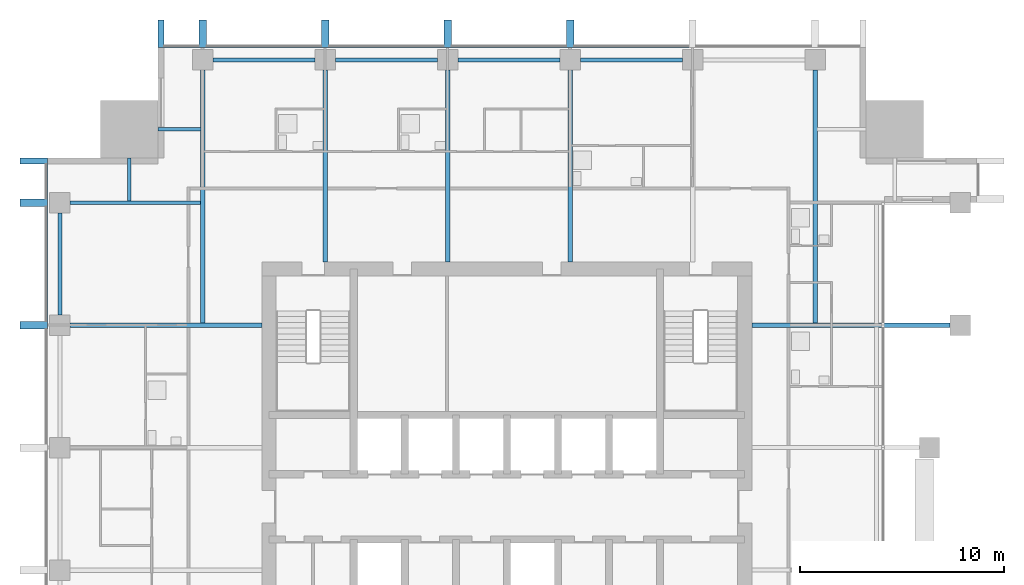
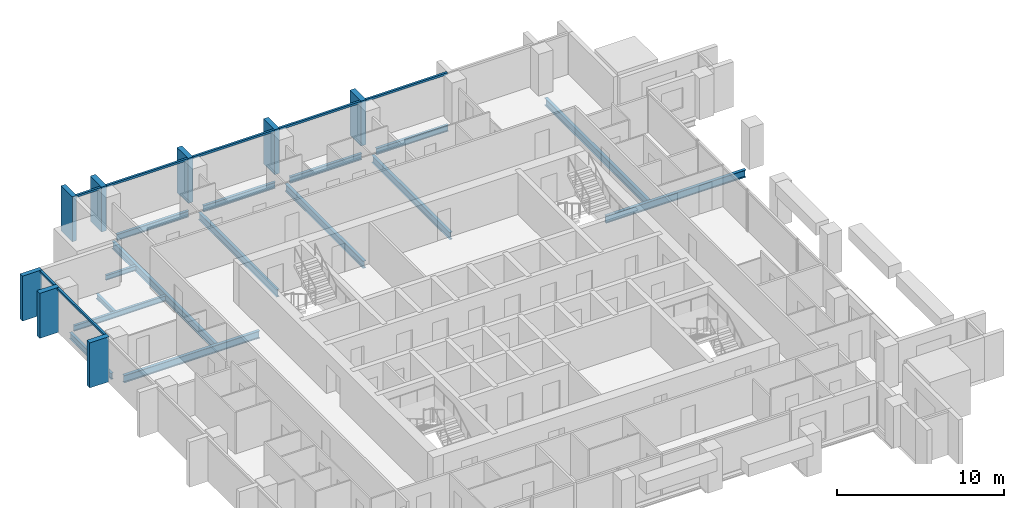
# One storey, part 5 of 14: 15 beams, 15 members, 2 elements without a shape of their own.
"""IFC4 building model written with IfcOpenShell, lengths in metres."""

from ifc_helpers import new_model, si_unit, direction, frame, origin, origin_2d, place, context, subcontext, project, spatial, rectangle, i_section, extrude, material, material_profile, profile_set, type_object, element, aggregate, save


model = new_model("IFC4")

# Units and contexts
model_context = context("Model", 3, precision=1e-05, world=origin(), true_north=direction((0.0, 1.0)))
body_context = subcontext(model_context, "Body", "Model", "MODEL_VIEW")
ifc_project = project(units=[si_unit("LENGTHUNIT", "METRE"), si_unit("AREAUNIT", "SQUARE_METRE"), si_unit("VOLUMEUNIT", "CUBIC_METRE"), si_unit("PLANEANGLEUNIT", "RADIAN"), si_unit("MASSUNIT", "GRAM", prefix="KILO")], contexts=[model_context])

# Site, building, storey
site_placement = place(None, origin())
site = spatial("IfcSite", under=ifc_project, at=site_placement, CompositionType="ELEMENT")
building_placement = place(site_placement, origin())
building = spatial("IfcBuilding", under=site, at=building_placement, Name="Amberfall Residences", CompositionType="ELEMENT")
storey_placement = place(building_placement, frame((0.0, 0.0, 168.10009765625)))
storey = spatial("IfcBuildingStorey", under=building, at=storey_placement, Name="L45", CompositionType="ELEMENT", Elevation=168.10009765625)

# Curtain wall, members
ifc_material_1 = material(Name="Bronze anodised aluminium and glass", Category="aluminium")
curtain_wall_type = type_object("IfcCurtainWallType", Name="Curtain wall CW1 tower unit", PredefinedType="USERDEFINED", material=ifc_material_1)
curtain_wall_1_placement = place(storey_placement, origin())
curtain_wall_1 = element("IfcCurtainWall", 1, at=curtain_wall_1_placement, inside=storey, type_object=curtain_wall_type, Name="Curtain wall L45 N N1", ObjectType="UNITISED CURTAIN WALL", PredefinedType="USERDEFINED")
ifc_material_2 = material(Name="Bronze anodised aluminium", Category="aluminium")
ifc_material_profile_1 = material_profile(ifc_material_2, rectangle(XDim=0.14990234375, YDim=0.14990234375, at=origin_2d()), Name="CW1 transom 150 x 150 bronze")
ifc_profile_set_1 = profile_set([ifc_material_profile_1], Name="Bronze anodised aluminium")
member_type_1 = type_object("IfcMemberType", Name="CW1 transom 150 x 150 bronze", PredefinedType="USERDEFINED", material=ifc_profile_set_1)
member_1_placement = place(storey_placement, frame((83.425048828125, 68.074951171875, 2.974853515625), z_axis=(-1.0, 0.0, 0.0), x_axis=(0.0, -1.0, 0.0)))
member_1 = element("IfcMember", 2, at=member_1_placement, type_object=member_type_1, Name="CW1 transom 3.1", ObjectType="TRANSOM", PredefinedType="USERDEFINED", context=body_context, shape_type="SweptSolid", body=[
    extrude(rectangle(XDim=0.14990234375, YDim=0.14990234375, at=origin_2d()), origin(), (0.0, 0.0, 1.0), 5.650146484375),
])
member_2_placement = place(storey_placement, frame((77.425048828125, 68.074951171875, 2.974853515625), z_axis=(-1.0, 0.0, 0.0), x_axis=(0.0, -1.0, 0.0)))
member_2 = element("IfcMember", 3, at=member_2_placement, type_object=member_type_1, Name="CW1 transom 4.1", ObjectType="TRANSOM", PredefinedType="USERDEFINED", context=body_context, shape_type="SweptSolid", body=[
    extrude(rectangle(XDim=0.14990234375, YDim=0.14990234375, at=origin_2d()), origin(), (0.0, 0.0, 1.0), 5.650146484375),
])
member_3_placement = place(storey_placement, frame((71.425048828125, 68.074951171875, 2.974853515625), z_axis=(-1.0, 0.0, 0.0), x_axis=(0.0, -1.0, 0.0)))
member_3 = element("IfcMember", 4, at=member_3_placement, type_object=member_type_1, Name="CW1 transom 5.1", ObjectType="TRANSOM", PredefinedType="USERDEFINED", context=body_context, shape_type="SweptSolid", body=[
    extrude(rectangle(XDim=0.14990234375, YDim=0.14990234375, at=origin_2d()), origin(), (0.0, 0.0, 1.0), 5.650146484375),
])
member_4_placement = place(storey_placement, frame((65.425048828125, 68.074951171875, 2.974853515625), z_axis=(-1.0, 0.0, 0.0), x_axis=(0.0, -1.0, 0.0)))
member_4 = element("IfcMember", 5, at=member_4_placement, type_object=member_type_1, Name="CW1 transom 6.1", ObjectType="TRANSOM", PredefinedType="USERDEFINED", context=body_context, shape_type="SweptSolid", body=[
    extrude(rectangle(XDim=0.14990234375, YDim=0.14990234375, at=origin_2d()), origin(), (0.0, 0.0, 1.0), 5.650146484375),
])
member_5_placement = place(storey_placement, frame((59.425048828125, 68.074951171875, 2.974853515625), z_axis=(-1.0, 0.0, 0.0), x_axis=(0.0, -1.0, 0.0)))
member_5 = element("IfcMember", 6, at=member_5_placement, type_object=member_type_1, Name="CW1 transom 7.1", ObjectType="TRANSOM", PredefinedType="USERDEFINED", context=body_context, shape_type="SweptSolid", body=[
    extrude(rectangle(XDim=0.14990234375, YDim=0.14990234375, at=origin_2d()), origin(), (0.0, 0.0, 1.0), 1.72509765625),
])

curtain_wall_2_placement = place(storey_placement, origin())
curtain_wall_2 = element("IfcCurtainWall", 7, at=curtain_wall_2_placement, inside=storey, type_object=curtain_wall_type, Name="Curtain wall L45 W W1", ObjectType="UNITISED CURTAIN WALL", PredefinedType="USERDEFINED")
member_6_placement = place(storey_placement, frame((51.925048828125, 62.300048828125, 2.974853515625), z_axis=(0.0, -1.0, 0.0), x_axis=(1.0, 0.0, 0.0)))
member_6 = element("IfcMember", 8, at=member_6_placement, type_object=member_type_1, Name="CW1 transom 1.1", ObjectType="TRANSOM", PredefinedType="USERDEFINED", context=body_context, shape_type="SweptSolid", body=[
    extrude(rectangle(XDim=0.14990234375, YDim=0.14990234375, at=origin_2d()), origin(), (0.0, 0.0, 1.0), 1.72509765625),
])
member_7_placement = place(storey_placement, frame((51.925048828125, 60.22509765625, 2.974853515625), z_axis=(0.0, -1.0, 0.0), x_axis=(1.0, 0.0, 0.0)))
member_7 = element("IfcMember", 9, at=member_7_placement, type_object=member_type_1, Name="CW1 transom 2.1", ObjectType="TRANSOM", PredefinedType="USERDEFINED", context=body_context, shape_type="SweptSolid", body=[
    extrude(rectangle(XDim=0.14990234375, YDim=0.14990234375, at=origin_2d()), origin(), (0.0, 0.0, 1.0), 5.650146484375),
])

# Member
ifc_material_profile_2 = material_profile(ifc_material_2, rectangle(XDim=1.35009765625, YDim=0.300048828125, at=origin_2d()), Name="Corner fin 300 x 1350 bronze")
ifc_profile_set_2 = profile_set([ifc_material_profile_2], Name="Bronze anodised aluminium")
member_type_2 = type_object("IfcMemberType", Name="Corner fin 300 x 1350 bronze", PredefinedType="MULLION", material=ifc_profile_set_2)
member_8_placement = place(storey_placement, frame((57.550048828125, 68.675048828125, -0.25), z_axis=(0.0, 0.0, 1.0), x_axis=(0.0, -1.0, 0.0)))
member_8 = element("IfcMember", 10, at=member_8_placement, type_object=member_type_2, Name="CW FIN 8", PredefinedType="MULLION", context=body_context, shape_type="SweptSolid", body=[
    extrude(rectangle(XDim=1.35009765625, YDim=0.300048828125, at=origin_2d()), origin(), (0.0, 0.0, 1.0), 3.2998046875),
])

member_9_placement = place(storey_placement, frame((51.324951171875, 62.449951171875, -0.25), z_axis=(0.0, 0.0, 1.0), x_axis=(1.0, 0.0, 0.0)))
member_9 = element("IfcMember", 11, at=member_9_placement, type_object=member_type_2, Name="CW FIN 1", PredefinedType="MULLION", context=body_context, shape_type="SweptSolid", body=[
    extrude(rectangle(XDim=1.35009765625, YDim=0.300048828125, at=origin_2d()), origin(), (0.0, 0.0, 1.0), 3.2998046875),
])

# Beams
ifc_material_3 = material(Name="Steel S355", Category="steel")
ifc_material_profile_3 = material_profile(ifc_material_3, i_section(OverallWidth=0.18994140625, OverallDepth=0.453369140625, WebThickness=0.008544921875, FlangeThickness=0.0126953125, FilletRadius=0.01025390625, at=origin_2d()), Name="UB 457x191x67")
ifc_profile_set_3 = profile_set([ifc_material_profile_3], Name="Steel S355")
beam_type_1 = type_object("IfcBeamType", Name="Edge beam UB 457x191x67", PredefinedType="SPANDREL", material=ifc_profile_set_3)
for number, where, z_axis, x_axis, name in (
    (12, (60.10009765625, 67.39990234375, -0.476806640625), (1.0, 0.0, 0.0), (0.0, 1.0, 0.0), "Edge beam B1 L45 23"),
    (13, (66.10009765625, 67.39990234375, -0.476806640625), (1.0, 0.0, 0.0), (0.0, 1.0, 0.0), "Edge beam B1 L45 24"),
    (14, (72.10009765625, 67.39990234375, -0.476806640625), (1.0, 0.0, 0.0), (0.0, 1.0, 0.0), "Edge beam B1 L45 25"),
    (15, (78.10009765625, 67.39990234375, -0.476806640625), (1.0, 0.0, 0.0), (0.0, 1.0, 0.0), "Edge beam B1 L45 26"),
    (16, (52.60009765625, 54.89990234375, -0.476806640625), (0.0, 1.0, 0.0), (-1.0, 0.0, 0.0), "Edge beam B1 L45 38"),
):
    element("IfcBeam", number, at=place(storey_placement, frame(where, z_axis=z_axis, x_axis=x_axis)), inside=storey, type_object=beam_type_1, Name=name, PredefinedType="SPANDREL", context=body_context, shape_type="SweptSolid", body=[
        extrude(i_section(OverallWidth=0.18994140625, OverallDepth=0.453369140625, WebThickness=0.008544921875, FlangeThickness=0.0126953125, FilletRadius=0.01025390625, at=origin_2d()), origin(), (0.0, 0.0, 1.0), 5.0),
    ])

# Member
ifc_material_profile_4 = material_profile(ifc_material_2, rectangle(XDim=1.35009765625, YDim=0.35009765625, at=origin_2d()), Name="Fin 350 x 1350 bronze")
ifc_profile_set_4 = profile_set([ifc_material_profile_4], Name="Bronze anodised aluminium")
member_type_3 = type_object("IfcMemberType", Name="Fin 350 x 1350 bronze", PredefinedType="MULLION", material=ifc_profile_set_4)
member_10_placement = place(storey_placement, frame((77.60009765625, 68.675048828125, -0.25), z_axis=(0.0, 0.0, 1.0), x_axis=(0.0, -1.0, 0.0)))
member_10 = element("IfcMember", 17, at=member_10_placement, type_object=member_type_3, Name="CW FIN 4", PredefinedType="MULLION", context=body_context, shape_type="SweptSolid", body=[
    extrude(rectangle(XDim=1.35009765625, YDim=0.35009765625, at=origin_2d()), origin(), (0.0, 0.0, 1.0), 3.2998046875),
])

member_11_placement = place(storey_placement, frame((71.60009765625, 68.675048828125, -0.25), z_axis=(0.0, 0.0, 1.0), x_axis=(0.0, -1.0, 0.0)))
member_11 = element("IfcMember", 18, at=member_11_placement, type_object=member_type_3, Name="CW FIN 5", PredefinedType="MULLION", context=body_context, shape_type="SweptSolid", body=[
    extrude(rectangle(XDim=1.35009765625, YDim=0.35009765625, at=origin_2d()), origin(), (0.0, 0.0, 1.0), 3.2998046875),
])

member_12_placement = place(storey_placement, frame((65.60009765625, 68.675048828125, -0.25), z_axis=(0.0, 0.0, 1.0), x_axis=(0.0, -1.0, 0.0)))
member_12 = element("IfcMember", 19, at=member_12_placement, type_object=member_type_3, Name="CW FIN 6", PredefinedType="MULLION", context=body_context, shape_type="SweptSolid", body=[
    extrude(rectangle(XDim=1.35009765625, YDim=0.35009765625, at=origin_2d()), origin(), (0.0, 0.0, 1.0), 3.2998046875),
])

member_13_placement = place(storey_placement, frame((59.60009765625, 68.675048828125, -0.25), z_axis=(0.0, 0.0, 1.0), x_axis=(0.0, -1.0, 0.0)))
member_13 = element("IfcMember", 20, at=member_13_placement, type_object=member_type_3, Name="CW FIN 7", PredefinedType="MULLION", context=body_context, shape_type="SweptSolid", body=[
    extrude(rectangle(XDim=1.35009765625, YDim=0.35009765625, at=origin_2d()), origin(), (0.0, 0.0, 1.0), 3.2998046875),
])

aggregate(curtain_wall_1, [member_10, member_11, member_12, member_13, member_8, member_1, member_2, member_3, member_4, member_5])

member_14_placement = place(storey_placement, frame((51.324951171875, 60.39990234375, -0.25), z_axis=(0.0, 0.0, 1.0), x_axis=(1.0, 0.0, 0.0)))
member_14 = element("IfcMember", 21, at=member_14_placement, type_object=member_type_3, Name="CW FIN 2", PredefinedType="MULLION", context=body_context, shape_type="SweptSolid", body=[
    extrude(rectangle(XDim=1.35009765625, YDim=0.35009765625, at=origin_2d()), origin(), (0.0, 0.0, 1.0), 3.2998046875),
])

member_15_placement = place(storey_placement, frame((51.324951171875, 54.39990234375, -0.25), z_axis=(0.0, 0.0, 1.0), x_axis=(1.0, 0.0, 0.0)))
member_15 = element("IfcMember", 22, at=member_15_placement, type_object=member_type_3, Name="CW FIN 3", PredefinedType="MULLION", context=body_context, shape_type="SweptSolid", body=[
    extrude(rectangle(XDim=1.35009765625, YDim=0.35009765625, at=origin_2d()), origin(), (0.0, 0.0, 1.0), 3.2998046875),
])

aggregate(curtain_wall_2, [member_9, member_14, member_15, member_6, member_7])

# Beams
ifc_material_profile_5 = material_profile(ifc_material_3, i_section(OverallWidth=0.177734375, OverallDepth=0.402587890625, WebThickness=0.0078125, FlangeThickness=0.010986328125, FilletRadius=0.01025390625, at=origin_2d()), Name="UB 406x178x54")
ifc_profile_set_5 = profile_set([ifc_material_profile_5], Name="Steel S355")
beam_type_2 = type_object("IfcBeamType", Name="Floor girder UB 406x178x54", PredefinedType="BEAM", material=ifc_profile_set_5)
beam_1_placement = place(storey_placement, frame((53.10009765625, 60.39990234375, -0.451416015625), z_axis=(1.0, 0.0, 0.0), x_axis=(0.0, 1.0, 0.0)))
element("IfcBeam", 23, at=beam_1_placement, inside=storey, type_object=beam_type_2, Name="Floor girder B4 L45 44", PredefinedType="BEAM", context=body_context, shape_type="SweptSolid", body=[
    extrude(i_section(OverallWidth=0.177734375, OverallDepth=0.402587890625, WebThickness=0.0078125, FlangeThickness=0.010986328125, FilletRadius=0.01025390625, at=origin_2d()), origin(), (0.0, 0.0, 1.0), 6.3798828125),
])
ifc_material_profile_6 = material_profile(ifc_material_3, i_section(OverallWidth=0.210693359375, OverallDepth=0.53955078125, WebThickness=0.01171875, FlangeThickness=0.018798828125, FilletRadius=0.0126953125, at=origin_2d()), Name="UB 533x210x109")
ifc_profile_set_6 = profile_set([ifc_material_profile_6], Name="Steel S355")
beam_type_3 = type_object("IfcBeamType", Name="Floor girder UB 533x210x109", PredefinedType="BEAM", material=ifc_profile_set_6)
for number, where, z_axis, x_axis, name in (
    (24, (59.60009765625, 66.89990234375, -0.519775390625), (0.0, -1.0, 0.0), (1.0, 0.0, 0.0), "Floor girder B2 L45 28"),
    (25, (89.60009765625, 66.89990234375, -0.519775390625), (0.0, -1.0, 0.0), (1.0, 0.0, 0.0), "Floor girder B2 L45 33"),
):
    element("IfcBeam", number, at=place(storey_placement, frame(where, z_axis=z_axis, x_axis=x_axis)), inside=storey, type_object=beam_type_3, Name=name, PredefinedType="BEAM", context=body_context, shape_type="SweptSolid", body=[
        extrude(i_section(OverallWidth=0.210693359375, OverallDepth=0.53955078125, WebThickness=0.01171875, FlangeThickness=0.018798828125, FilletRadius=0.0126953125, at=origin_2d()), origin(), (0.0, 0.0, 1.0), 12.400390625),
    ])
ifc_material_profile_7 = material_profile(ifc_material_3, i_section(OverallWidth=0.209228515625, OverallDepth=0.533203125, WebThickness=0.010009765625, FlangeThickness=0.015625, FilletRadius=0.0126953125, at=origin_2d()), Name="UB 533x210x92")
ifc_profile_set_7 = profile_set([ifc_material_profile_7], Name="Steel S355")
beam_type_4 = type_object("IfcBeamType", Name="Floor girder UB 533x210x92", PredefinedType="BEAM", material=ifc_profile_set_7)
beam_2_placement = place(storey_placement, frame((96.199951171875, 54.39990234375, -0.5166015625), z_axis=(-1.0, 0.0, 0.0), x_axis=(0.0, -1.0, 0.0)))
element("IfcBeam", 26, at=beam_2_placement, inside=storey, type_object=beam_type_4, Name="Floor girder B3 L45 21", PredefinedType="BEAM", context=body_context, shape_type="SweptSolid", body=[
    extrude(i_section(OverallWidth=0.209228515625, OverallDepth=0.533203125, WebThickness=0.010009765625, FlangeThickness=0.015625, FilletRadius=0.0126953125, at=origin_2d()), origin(), (0.0, 0.0, 1.0), 9.699951171875),
])
for number, where, z_axis, x_axis, name in (
    (27, (65.60009765625, 66.89990234375, -0.5166015625), (0.0, -1.0, 0.0), (1.0, 0.0, 0.0), "Floor girder B3 L45 29"),
    (28, (71.60009765625, 66.89990234375, -0.5166015625), (0.0, -1.0, 0.0), (1.0, 0.0, 0.0), "Floor girder B3 L45 30"),
    (29, (77.60009765625, 66.89990234375, -0.5166015625), (0.0, -1.0, 0.0), (1.0, 0.0, 0.0), "Floor girder B3 L45 31"),
    (30, (53.10009765625, 54.39990234375, -0.5166015625), (1.0, 0.0, 0.0), (0.0, 1.0, 0.0), "Floor girder B3 L45 43"),
):
    element("IfcBeam", number, at=place(storey_placement, frame(where, z_axis=z_axis, x_axis=x_axis)), inside=storey, type_object=beam_type_4, Name=name, PredefinedType="BEAM", context=body_context, shape_type="SweptSolid", body=[
        extrude(i_section(OverallWidth=0.209228515625, OverallDepth=0.533203125, WebThickness=0.010009765625, FlangeThickness=0.015625, FilletRadius=0.0126953125, at=origin_2d()), origin(), (0.0, 0.0, 1.0), 9.39990234375),
    ])
ifc_material_profile_8 = material_profile(ifc_material_3, i_section(OverallWidth=0.171142578125, OverallDepth=0.351318359375, WebThickness=0.007080078125, FlangeThickness=0.009765625, FilletRadius=0.01025390625, at=origin_2d()), Name="UB 356x171x45")
ifc_profile_set_8 = profile_set([ifc_material_profile_8], Name="Steel S355")
beam_type_5 = type_object("IfcBeamType", Name="Link beam UB 356x171x45", PredefinedType="BEAM", material=ifc_profile_set_8)
beam_3_placement = place(storey_placement, frame((57.39990234375, 64.0, -0.42578125), z_axis=(1.0, 0.0, 0.0), x_axis=(0.0, 1.0, 0.0)))
element("IfcBeam", 31, at=beam_3_placement, inside=storey, type_object=beam_type_5, Name="Link beam B7 L45 51", PredefinedType="BEAM", context=body_context, shape_type="SweptSolid", body=[
    extrude(i_section(OverallWidth=0.171142578125, OverallDepth=0.351318359375, WebThickness=0.007080078125, FlangeThickness=0.009765625, FilletRadius=0.01025390625, at=origin_2d()), origin(), (0.0, 0.0, 1.0), 2.104736328125),
])
beam_4_placement = place(storey_placement, frame((56.0, 62.60009765625, -0.42578125), z_axis=(0.0, -1.0, 0.0), x_axis=(1.0, 0.0, 0.0)))
element("IfcBeam", 32, at=beam_4_placement, inside=storey, type_object=beam_type_5, Name="Link beam B7 L45 52", PredefinedType="BEAM", context=body_context, shape_type="SweptSolid", body=[
    extrude(i_section(OverallWidth=0.171142578125, OverallDepth=0.351318359375, WebThickness=0.007080078125, FlangeThickness=0.009765625, FilletRadius=0.01025390625, at=origin_2d()), origin(), (0.0, 0.0, 1.0), 2.12109375),
])

save(model, "model.ifc")
